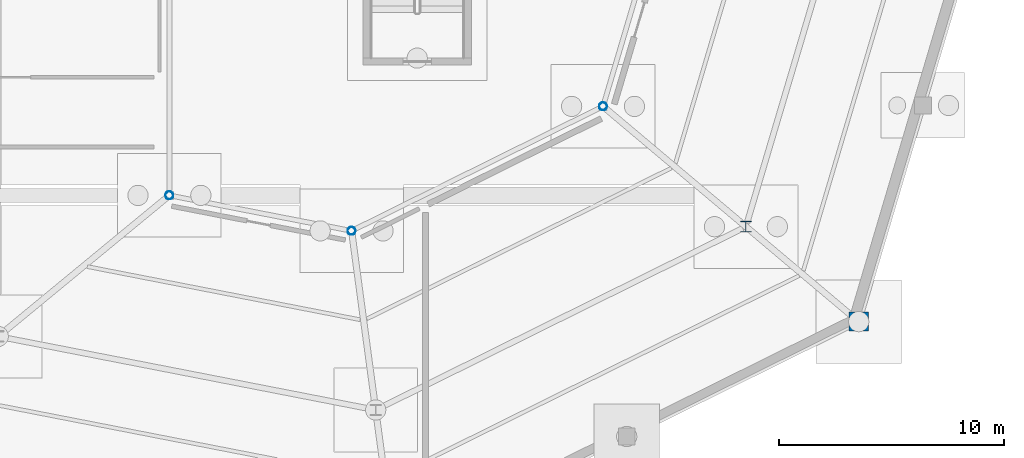
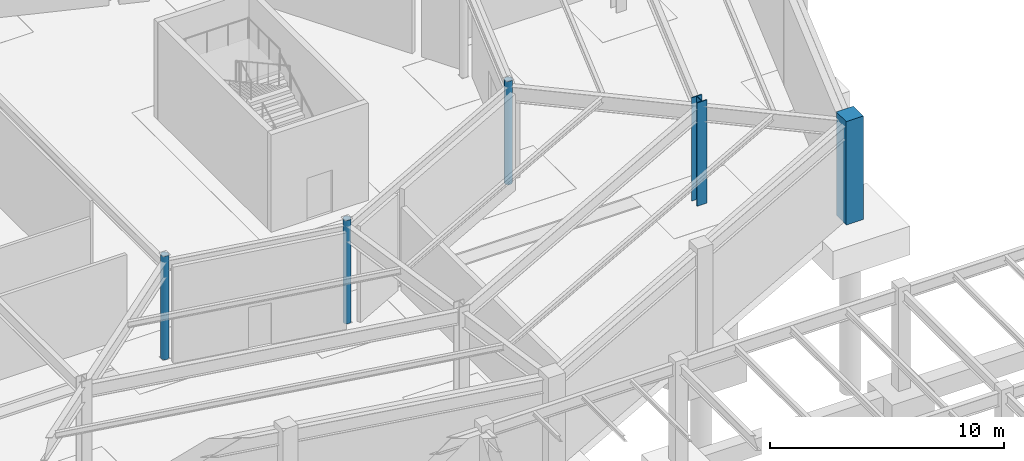
# One storey, part 14 of 48: 5 columns.
"""IFC4 building model written with IfcOpenShell, lengths in metres."""

from ifc_helpers import new_model, si_unit, direction, frame, origin, origin_2d, place, context, subcontext, project, spatial, rectangle, hollow_circle, i_section, extrude, material, material_profile, profile_set, type_object, element, save


model = new_model("IFC4")

# Units and contexts
model_context = context("Model", 3, precision=1e-05, world=origin(), true_north=direction((0.0, 1.0)))
body_context = subcontext(model_context, "Body", "Model", "MODEL_VIEW")
ifc_project = project(units=[si_unit("LENGTHUNIT", "METRE"), si_unit("AREAUNIT", "SQUARE_METRE"), si_unit("VOLUMEUNIT", "CUBIC_METRE"), si_unit("PLANEANGLEUNIT", "RADIAN"), si_unit("MASSUNIT", "GRAM", prefix="KILO")], contexts=[model_context])

# Site, building, storey
site_placement = place(None, origin())
site = spatial("IfcSite", under=ifc_project, at=site_placement, CompositionType="ELEMENT")
building_placement = place(site_placement, origin())
building = spatial("IfcBuilding", under=site, at=building_placement, Name="Sarnbrook Museum", CompositionType="ELEMENT")
storey_placement = place(building_placement, frame((0.0, 0.0, -5.39990234375)))
storey = spatial("IfcBuildingStorey", under=building, at=storey_placement, Name="B1", CompositionType="ELEMENT", Elevation=-5.39990234375)

# Columns
ifc_material_1 = material(Name="Structural Steel Hollow Section Grade C350L0 (AS/NZS 1163, fy = 350 MPa)", Category="steel")
ifc_material_profile_1 = material_profile(ifc_material_1, hollow_circle(Radius=0.177734375, WallThickness=0.0126953125, at=origin_2d()), Name="355.6x12.7CHS")
ifc_profile_set_1 = profile_set([ifc_material_profile_1], Name="Structural Steel Hollow Section Grade C350L0 (AS/NZS 1163, fy = 350 MPa)")
column_type_1 = type_object("IfcColumnType", Name="COL-CHS355", PredefinedType="COLUMN", material=ifc_profile_set_1)
for number, where, z_axis, x_axis, name in (
    (1, (132.800048828125, 74.405029296875, 0.0), (0.0, 0.0, 1.0), (1.0, 0.0, 0.0), "Crystal Gallery Feature Column R2-1 B1"),
    (2, (140.88720703125, 72.828857421875, 0.0), (0.0, 0.0, 1.0), (1.0, 0.0, 0.0), "Crystal Gallery Feature Column R2-2 B1"),
    (3, (152.05029296875, 78.356201171875, 0.0), (0.0, 0.0, 1.0), (1.0, 0.0, 0.0), "Crystal Gallery Feature Column R2-3 B1"),
):
    element("IfcColumn", number, at=place(storey_placement, frame(where, z_axis=z_axis, x_axis=x_axis)), inside=storey, type_object=column_type_1, Name=name, PredefinedType="COLUMN", context=body_context, shape_type="SweptSolid", body=[
        extrude(hollow_circle(Radius=0.177734375, WallThickness=0.0126953125, at=origin_2d()), origin(), (0.0, 0.0, 1.0), 5.39990234375),
    ])
ifc_material_2 = material(Name="Concrete N50 (AS 3600, f'c = 50 MPa)", Category="concrete")
ifc_material_profile_2 = material_profile(ifc_material_2, rectangle(XDim=0.85009765625, YDim=0.85009765625, at=origin_2d()), Name="RC 850x850")
ifc_profile_set_2 = profile_set([ifc_material_profile_2], Name="Concrete N50 (AS 3600, f'c = 50 MPa)")
column_type_2 = type_object("IfcColumnType", Name="COL-RC850", PredefinedType="COLUMN", material=ifc_profile_set_2)
column_1_placement = place(storey_placement, frame((163.39990234375, 68.800048828125, 0.0), z_axis=(0.0, 0.0, 1.0), x_axis=(1.0, 0.0, 0.0)))
element("IfcColumn", 4, at=column_1_placement, inside=storey, type_object=column_type_2, Name="Crystal Pier Column V3 B1", PredefinedType="COLUMN", context=body_context, shape_type="SweptSolid", body=[
    extrude(rectangle(XDim=0.85009765625, YDim=0.85009765625, at=origin_2d()), origin(), (0.0, 0.0, 1.0), 5.39990234375),
])
ifc_material_3 = material(Name="Structural Steel Grade 350L0 (AS/NZS 3678, fy = 340 MPa for 20 < t <= 40 mm)", Category="steel")
ifc_material_profile_3 = material_profile(ifc_material_3, i_section(OverallWidth=0.5, OverallDepth=0.489990234375, WebThickness=0.028076171875, FlangeThickness=0.0400390625, at=origin_2d()), Name="500WC340")
ifc_profile_set_3 = profile_set([ifc_material_profile_3], Name="Structural Steel Grade 350L0 (AS/NZS 3678, fy = 340 MPa for 20 < t <= 40 mm)")
column_type_3 = type_object("IfcColumnType", Name="COL-WC500", PredefinedType="COLUMN", material=ifc_profile_set_3)
column_2_placement = place(storey_placement, frame((158.392822265625, 73.015869140625, 0.0), z_axis=(0.0, 0.0, 1.0), x_axis=(1.0, 0.0, 0.0)))
element("IfcColumn", 5, at=column_2_placement, inside=storey, type_object=column_type_3, Name="Crystal Hall Ring Column R1-3 B1", PredefinedType="COLUMN", context=body_context, shape_type="SweptSolid", body=[
    extrude(i_section(OverallWidth=0.5, OverallDepth=0.489990234375, WebThickness=0.028076171875, FlangeThickness=0.0400390625, at=origin_2d()), origin(), (0.0, 0.0, 1.0), 5.39990234375),
])

save(model, "model.ifc")
